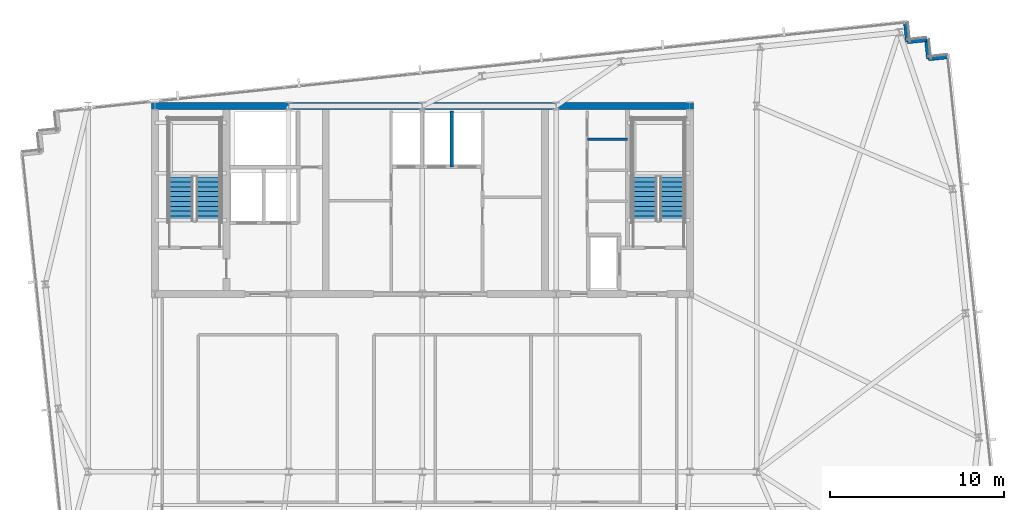
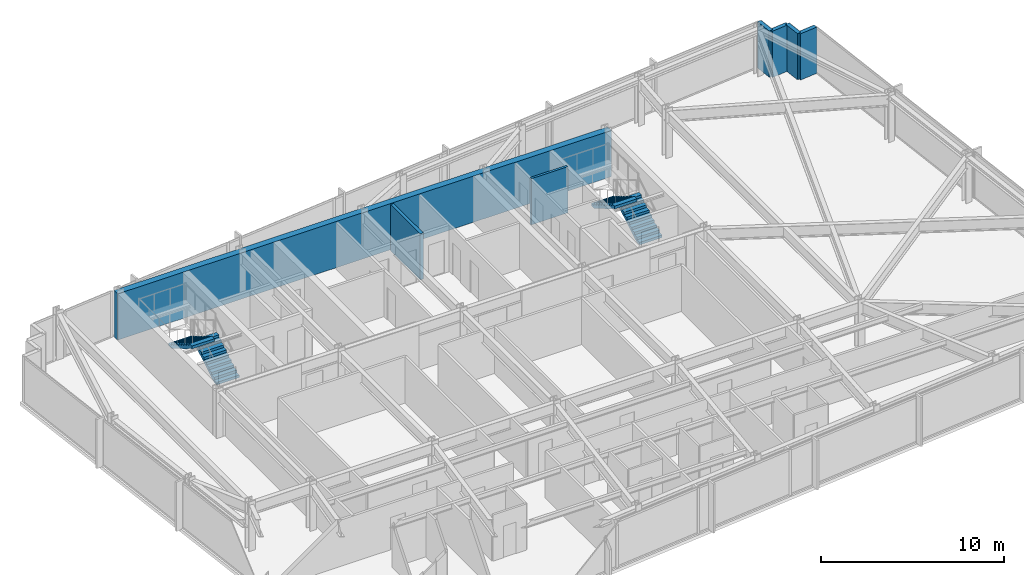
# One storey, part 29 of 33: 7 walls, 4 stair flights, 2 elements without a shape of their own.
"""IFC4 building model written with IfcOpenShell, lengths in metres."""

from ifc_helpers import new_model, si_unit, direction, frame, frame_2d, origin, place, context, subcontext, project, spatial, polyline, rectangle, outline, extrude, material, layer, layer_set, type_object, element, aggregate, save


model = new_model("IFC4")

# Units and contexts
model_context = context("Model", 3, precision=1e-05, world=origin(), true_north=direction((0.0, 1.0)))
body_context = subcontext(model_context, "Body", "Model", "MODEL_VIEW")
ifc_project = project(units=[si_unit("LENGTHUNIT", "METRE"), si_unit("AREAUNIT", "SQUARE_METRE"), si_unit("VOLUMEUNIT", "CUBIC_METRE"), si_unit("PLANEANGLEUNIT", "RADIAN"), si_unit("MASSUNIT", "GRAM", prefix="KILO")], contexts=[model_context])

# Site, building, storey
site_placement = place(None, origin())
site = spatial("IfcSite", under=ifc_project, at=site_placement, CompositionType="ELEMENT")
building_placement = place(site_placement, origin())
building = spatial("IfcBuilding", under=site, at=building_placement, Name="Yelkora Congress Tower", CompositionType="ELEMENT")
storey_placement = place(building_placement, frame((0.0, 0.0, 230.89990234375)))
storey = spatial("IfcBuildingStorey", under=building, at=storey_placement, Name="L64", CompositionType="ELEMENT", Elevation=230.89990234375)

# Walls
ifc_material_1 = material(Name="Concrete C50/60", Category="concrete")
ifc_layer_1 = layer(ifc_material_1, 0.39990234375)
ifc_layer_set_1 = layer_set([ifc_layer_1], Name="Concrete C50/60")
wall_type_1 = type_object("IfcWallType", Name="WALL-CORE-INT-400", PredefinedType="SHEAR", material=ifc_layer_set_1)
wall_1_placement = place(storey_placement, frame((22.840087890625, 46.199951171875, 0.0), z_axis=(0.0, 0.0, 1.0), x_axis=(1.0, 0.0, 0.0)))
element("IfcWall", 1, at=wall_1_placement, inside=storey, type_object=wall_type_1, Name="L64 Rear Core North Shear Wall", PredefinedType="SHEAR", context=body_context, shape_type="SweptSolid", body=[
    extrude(rectangle(XDim=31.119873046875, YDim=0.39990234375, at=frame_2d((15.56005859375, 0.0))), origin(), (0.0, 0.0, 1.0), 3.080078125),
])
ifc_material_2 = material(Name="Concrete C40/50", Category="concrete")
ifc_layer_2 = layer(ifc_material_2, 0.239990234375)
ifc_layer_set_2 = layer_set([ifc_layer_2], Name="Concrete C40/50")
wall_type_2 = type_object("IfcWallType", Name="WALL-EXT-LIMESTONE-240", PredefinedType="SOLIDWALL", material=ifc_layer_set_2)
for number, where, z_axis, x_axis, name in (
    (2, (66.150390625, 50.986572265625, 0.0), (0.0, 0.0, 1.0), (0.104534592565, -0.994521251134, 0.0), "L64 Serrated Corner Limestone Pier 11"),
    (3, (66.265380859375, 49.892578125, 0.0), (0.0, 0.0, 1.0), (0.994521251134, 0.104534592565, 0.0), "L64 Serrated Corner Limestone Pier 12"),
    (4, (67.359375, 50.007568359375, 0.0), (0.0, 0.0, 1.0), (0.104534592565, -0.994521251134, 0.0), "L64 Serrated Corner Limestone Pier 13"),
    (5, (67.474365234375, 48.91357421875, 0.0), (0.0, 0.0, 1.0), (0.994521251134, 0.104534592565, 0.0), "L64 Serrated Corner Limestone Pier 14"),
):
    element("IfcWall", number, at=place(storey_placement, frame(where, z_axis=z_axis, x_axis=x_axis)), inside=storey, type_object=wall_type_2, Name=name, PredefinedType="SOLIDWALL", context=body_context, shape_type="SweptSolid", body=[
        extrude(rectangle(XDim=1.10009765625, YDim=0.239990234375, at=frame_2d((0.550048828125, 0.0))), origin(), (0.0, 0.0, 1.0), 3.080078125),
    ])
ifc_material_3 = material(Name="Acoustic metal-stud gypsum partition", Category="gypsum")
ifc_layer_3 = layer(ifc_material_3, 0.14990234375)
ifc_layer_set_3 = layer_set([ifc_layer_3], Name="Acoustic metal-stud gypsum partition")
wall_type_3 = type_object("IfcWallType", Name="WALL-INT-150-NR", PredefinedType="PARTITIONING", material=ifc_layer_set_3)
wall_2_placement = place(storey_placement, frame((47.8798828125, 44.280029296875, 0.0), z_axis=(0.0, 0.0, 1.0), x_axis=(1.0, 0.0, 0.0)))
element("IfcWall", 6, at=wall_2_placement, inside=storey, type_object=wall_type_3, Name="L64 Partition Wall 22", PredefinedType="PARTITIONING", context=body_context, shape_type="SweptSolid", body=[
    extrude(rectangle(XDim=2.300048828125, YDim=0.14990234375, at=frame_2d((1.14990234375, 0.0))), origin(), (0.0, 0.0, 1.0), 3.080078125),
])
ifc_material_4 = material(Name="Autoclaved aerated concrete blockwork", Category="masonry")
ifc_layer_4 = layer(ifc_material_4, 0.199951171875)
ifc_layer_set_4 = layer_set([ifc_layer_4], Name="Autoclaved aerated concrete blockwork")
wall_type_4 = type_object("IfcWallType", Name="WALL-INT-200-R120", PredefinedType="PARTITIONING", material=ifc_layer_set_4)
wall_3_placement = place(storey_placement, frame((40.10009765625, 42.699951171875, 0.0), z_axis=(0.0, 0.0, 1.0), x_axis=(0.0, 1.0, 0.0)))
element("IfcWall", 7, at=wall_3_placement, inside=storey, type_object=wall_type_4, Name="L64 Partition Wall 10", PredefinedType="PARTITIONING", context=body_context, shape_type="SweptSolid", body=[
    extrude(rectangle(XDim=3.219970703125, YDim=0.199951171875, at=frame_2d((1.60986328125, 0.0))), origin(), (0.0, 0.0, 1.0), 3.080078125),
])

# Stair, stair flights
stair_type = type_object("IfcStairType", Name="STAIR-HT-1420-R20-165", PredefinedType="HALF_TURN_STAIR", material=ifc_material_2)
stair_1_placement = place(storey_placement, origin())
stair_1 = element("IfcStair", 8, at=stair_1_placement, inside=storey, type_object=stair_type, Name="West Core Protected Exit Stair ST-01 (L64)", PredefinedType="HALF_TURN_STAIR")
stair_flight_type = type_object("IfcStairFlightType", Name="FLIGHT-1420-N10-R165-G280", PredefinedType="STRAIGHT", material=ifc_material_2)
stair_flight_1_placement = place(storey_placement, frame((26.110107421875, 39.60009765625, 0.0), z_axis=(0.0, 0.0, 1.0), x_axis=(0.0, 1.0, 0.0)))
stair_flight_1 = element("IfcStairFlight", 9, at=stair_flight_1_placement, type_object=stair_flight_type, Name="ST-01 L64 Flight 1", NumberOfRisers=10, NumberOfTreads=9, PredefinedType="STRAIGHT", RiserHeight=0.165, TreadLength=0.28, context=body_context, shape_type="SweptSolid", body=[
    extrude(outline(polyline([(0.0, 0.0), (0.0, 0.1650390625), (0.280029296875, 0.1650390625), (0.280029296875, 0.330078125), (0.56005859375, 0.330078125), (0.56005859375, 0.4951171875), (0.840087890625, 0.4951171875), (0.840087890625, 0.659912109375), (1.1201171875, 0.659912109375), (1.1201171875, 0.824951171875), (1.39990234375, 0.824951171875), (1.39990234375, 0.989990234375), (1.679931640625, 0.989990234375), (1.679931640625, 1.155029296875), (1.9599609375, 1.155029296875), (1.9599609375, 1.320068359375), (2.239990234375, 1.320068359375), (2.239990234375, 1.485107421875), (2.52001953125, 1.485107421875), (2.52001953125, 1.64990234375), (2.52001953125, 1.29931640625), (0.31494140625, 0.0), (0.0, 0.0)])), frame((0.0, 0.7099609375, 0.0), z_axis=(0.0, -1.0, 0.0), x_axis=(1.0, 0.0, 0.0)), (0.0, 0.0, 1.0), 1.419921875),
])
stair_flight_2_placement = place(storey_placement, frame((24.530029296875, 42.1201171875, 1.650146484375), z_axis=(0.0, 0.0, 1.0), x_axis=(0.0, -1.0, 0.0)))
stair_flight_2 = element("IfcStairFlight", 10, at=stair_flight_2_placement, type_object=stair_flight_type, Name="ST-01 L64 Flight 2", NumberOfRisers=10, NumberOfTreads=9, PredefinedType="STRAIGHT", RiserHeight=0.165, TreadLength=0.28, context=body_context, shape_type="SweptSolid", body=[
    extrude(outline(polyline([(0.0, 0.0), (0.0, 0.1650390625), (0.280029296875, 0.1650390625), (0.280029296875, 0.330078125), (0.56005859375, 0.330078125), (0.56005859375, 0.4951171875), (0.840087890625, 0.4951171875), (0.840087890625, 0.659912109375), (1.1201171875, 0.659912109375), (1.1201171875, 0.824951171875), (1.39990234375, 0.824951171875), (1.39990234375, 0.989990234375), (1.679931640625, 0.989990234375), (1.679931640625, 1.155029296875), (1.9599609375, 1.155029296875), (1.9599609375, 1.320068359375), (2.239990234375, 1.320068359375), (2.239990234375, 1.485107421875), (2.52001953125, 1.485107421875), (2.52001953125, 1.64990234375), (2.52001953125, 1.29931640625), (0.31494140625, 0.0), (0.0, 0.0)])), frame((0.0, 0.7099609375, 0.0), z_axis=(0.0, -1.0, 0.0), x_axis=(1.0, 0.0, 0.0)), (0.0, 0.0, 1.0), 1.419921875),
])
aggregate(stair_1, [stair_flight_1, stair_flight_2])

stair_2_placement = place(storey_placement, origin())
stair_2 = element("IfcStair", 11, at=stair_2_placement, inside=storey, type_object=stair_type, Name="East Core Protected Exit Stair ST-02 (L64)", PredefinedType="HALF_TURN_STAIR")
stair_flight_3_placement = place(storey_placement, frame((52.75, 39.60009765625, 0.0), z_axis=(0.0, 0.0, 1.0), x_axis=(0.0, 1.0, 0.0)))
stair_flight_3 = element("IfcStairFlight", 12, at=stair_flight_3_placement, type_object=stair_flight_type, Name="ST-02 L64 Flight 1", NumberOfRisers=10, NumberOfTreads=9, PredefinedType="STRAIGHT", RiserHeight=0.165, TreadLength=0.28, context=body_context, shape_type="SweptSolid", body=[
    extrude(outline(polyline([(0.0, 0.0), (0.0, 0.1650390625), (0.280029296875, 0.1650390625), (0.280029296875, 0.330078125), (0.56005859375, 0.330078125), (0.56005859375, 0.4951171875), (0.840087890625, 0.4951171875), (0.840087890625, 0.659912109375), (1.1201171875, 0.659912109375), (1.1201171875, 0.824951171875), (1.39990234375, 0.824951171875), (1.39990234375, 0.989990234375), (1.679931640625, 0.989990234375), (1.679931640625, 1.155029296875), (1.9599609375, 1.155029296875), (1.9599609375, 1.320068359375), (2.239990234375, 1.320068359375), (2.239990234375, 1.485107421875), (2.52001953125, 1.485107421875), (2.52001953125, 1.64990234375), (2.52001953125, 1.29931640625), (0.31494140625, 0.0), (0.0, 0.0)])), frame((0.0, 0.7099609375, 0.0), z_axis=(0.0, -1.0, 0.0), x_axis=(1.0, 0.0, 0.0)), (0.0, 0.0, 1.0), 1.419921875),
])
stair_flight_4_placement = place(storey_placement, frame((51.169921875, 42.1201171875, 1.650146484375), z_axis=(0.0, 0.0, 1.0), x_axis=(0.0, -1.0, 0.0)))
stair_flight_4 = element("IfcStairFlight", 13, at=stair_flight_4_placement, type_object=stair_flight_type, Name="ST-02 L64 Flight 2", NumberOfRisers=10, NumberOfTreads=9, PredefinedType="STRAIGHT", RiserHeight=0.165, TreadLength=0.28, context=body_context, shape_type="SweptSolid", body=[
    extrude(outline(polyline([(0.0, 0.0), (0.0, 0.1650390625), (0.280029296875, 0.1650390625), (0.280029296875, 0.330078125), (0.56005859375, 0.330078125), (0.56005859375, 0.4951171875), (0.840087890625, 0.4951171875), (0.840087890625, 0.659912109375), (1.1201171875, 0.659912109375), (1.1201171875, 0.824951171875), (1.39990234375, 0.824951171875), (1.39990234375, 0.989990234375), (1.679931640625, 0.989990234375), (1.679931640625, 1.155029296875), (1.9599609375, 1.155029296875), (1.9599609375, 1.320068359375), (2.239990234375, 1.320068359375), (2.239990234375, 1.485107421875), (2.52001953125, 1.485107421875), (2.52001953125, 1.64990234375), (2.52001953125, 1.29931640625), (0.31494140625, 0.0), (0.0, 0.0)])), frame((0.0, 0.7099609375, 0.0), z_axis=(0.0, -1.0, 0.0), x_axis=(1.0, 0.0, 0.0)), (0.0, 0.0, 1.0), 1.419921875),
])
aggregate(stair_2, [stair_flight_3, stair_flight_4])

save(model, "model.ifc")
